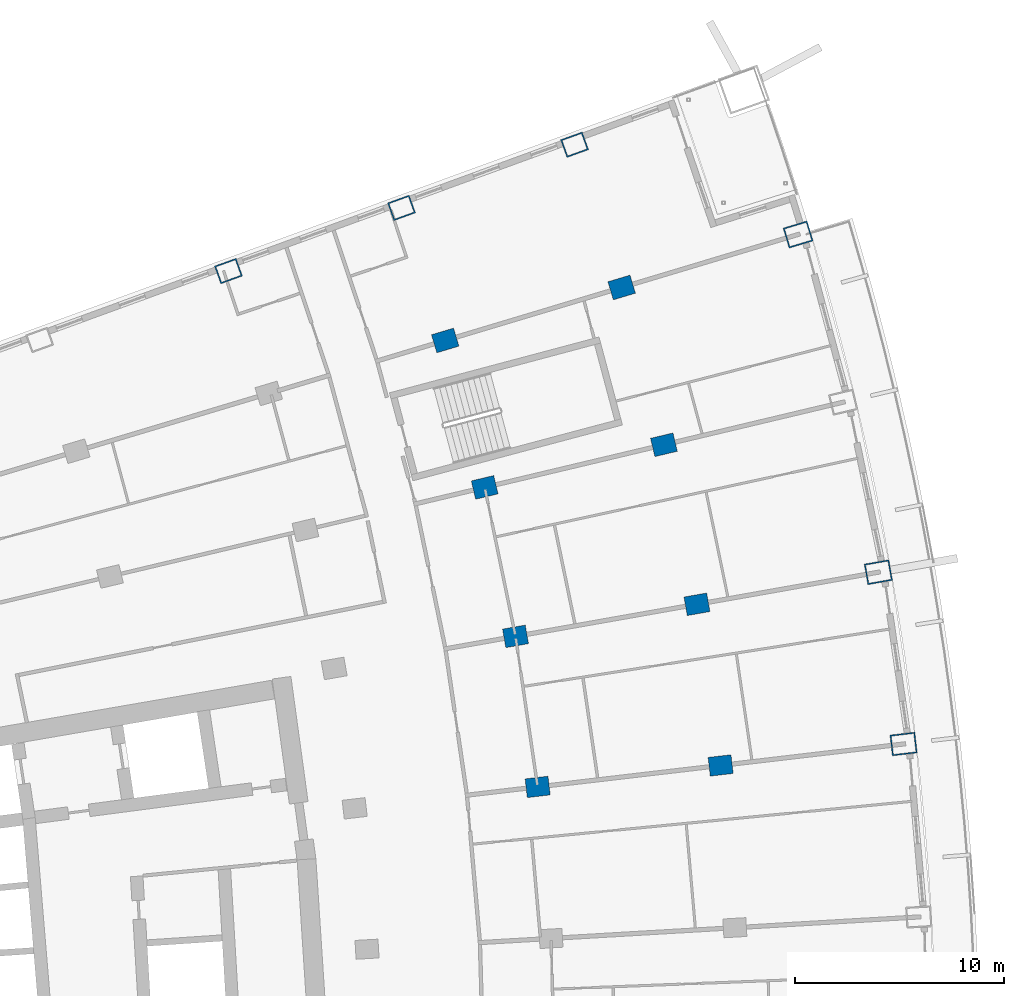
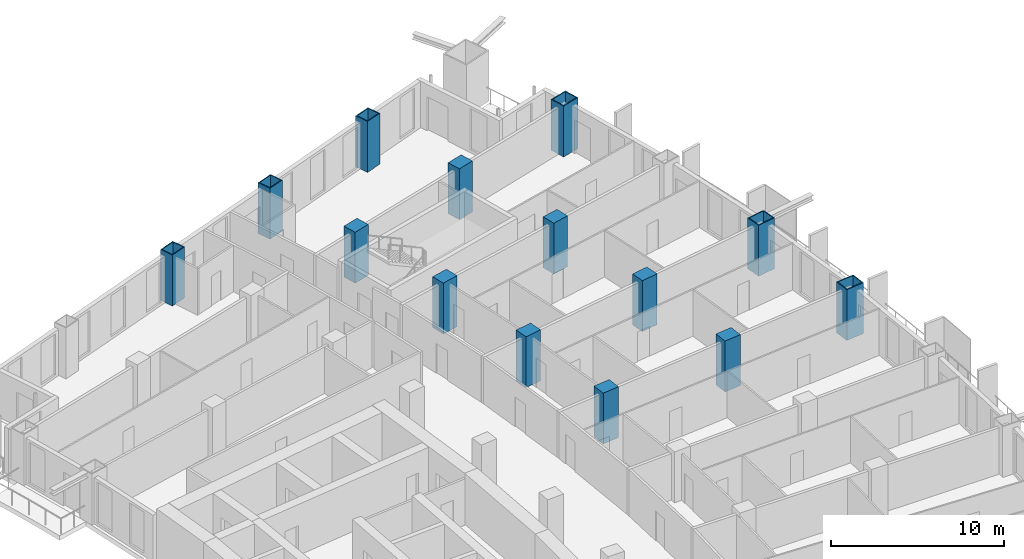
# One storey, part 8 of 23: 14 columns.
"""IFC4 building model written with IfcOpenShell, lengths in metres."""

from ifc_helpers import new_model, si_unit, direction, frame, origin, origin_2d, place, context, subcontext, project, spatial, rectangle, hollow_rectangle, extrude, material, material_profile, profile_set, type_object, element, save


model = new_model("IFC4")

# Units and contexts
model_context = context("Model", 3, precision=1e-05, world=origin(), true_north=direction((0.0, 1.0)))
body_context = subcontext(model_context, "Body", "Model", "MODEL_VIEW")
ifc_project = project(units=[si_unit("LENGTHUNIT", "METRE"), si_unit("AREAUNIT", "SQUARE_METRE"), si_unit("VOLUMEUNIT", "CUBIC_METRE"), si_unit("PLANEANGLEUNIT", "RADIAN"), si_unit("MASSUNIT", "GRAM", prefix="KILO")], contexts=[model_context])

# Site, building, storey
site_placement = place(None, origin())
site = spatial("IfcSite", under=ifc_project, at=site_placement, CompositionType="ELEMENT")
building_placement = place(site_placement, origin())
building = spatial("IfcBuilding", under=site, at=building_placement, Name="Alderwake Tower", CompositionType="ELEMENT")
storey_placement = place(building_placement, frame((0.0, 0.0, 71.60009765625)))
storey = spatial("IfcBuildingStorey", under=building, at=storey_placement, Name="L17", CompositionType="ELEMENT", Elevation=71.60009765625)

# Columns
ifc_material_1 = material(Name="Steel ASTM A572 Grade 50 concrete filled C70/85", Category="concrete")
ifc_material_profile_1 = material_profile(ifc_material_1, hollow_rectangle(XDim=0.89990234375, YDim=1.10009765625, WallThickness=0.06005859375, at=origin_2d()), Name="BOX 1100X900X60")
ifc_profile_set_1 = profile_set([ifc_material_profile_1], Name="Steel ASTM A572 Grade 50 concrete filled C70/85")
column_type_1 = type_object("IfcColumnType", Name="End column Z1", PredefinedType="COLUMN", material=ifc_profile_set_1)
for number, where, z_axis, x_axis, name in (
    (1, (28.983642578125, 100.143310546875, 0.0), (0.0, 0.0, 1.0), (-0.338026774049, 0.941136493834, 0.0), "Column R13-C2"),
    (2, (37.250244140625, 103.160888671875, 0.0), (0.0, 0.0, 1.0), (-0.3383700535, 0.941013127907, 0.0), "Column R13-C3"),
    (3, (45.516845703125, 106.178466796875, 0.0), (0.0, 0.0, 1.0), (-0.338668949173, 0.940905597213, 0.0), "Column R13-C4"),
):
    element("IfcColumn", number, at=place(storey_placement, frame(where, z_axis=z_axis, x_axis=x_axis)), inside=storey, type_object=column_type_1, Name=name, PredefinedType="COLUMN", context=body_context, shape_type="SweptSolid", body=[
        extrude(hollow_rectangle(XDim=0.89990234375, YDim=1.10009765625, WallThickness=0.06005859375, at=origin_2d()), origin(), (0.0, 0.0, 1.0), 3.599853515625),
    ])
ifc_material_2 = material(Name="Concrete C70/85", Category="concrete")
ifc_material_profile_2 = material_profile(ifc_material_2, rectangle(XDim=0.89990234375, YDim=1.10009765625, at=origin_2d()), Name="RC 1100X900")
ifc_profile_set_2 = profile_set([ifc_material_profile_2], Name="Concrete C70/85")
column_type_2 = type_object("IfcColumnType", Name="Interior column Z1", PredefinedType="COLUMN", material=ifc_profile_set_2)
for number, where, z_axis, x_axis, name in (
    (4, (43.7529296875, 75.503662109375, 0.0), (0.0, 0.0, 1.0), (-0.116402054316, 0.993202175668, 0.0), "Column R09-C3"),
    (5, (52.4931640625, 76.528076171875, 0.0), (0.0, 0.0, 1.0), (-0.116402054316, 0.993202175668, 0.0), "Column R09-C4"),
    (6, (42.697021484375, 82.69384765625, 0.0), (0.0, 0.0, 1.0), (-0.174108800747, 0.984726421654, 0.0), "Column R10-C3"),
    (7, (51.362548828125, 84.22607421875, 0.0), (0.0, 0.0, 1.0), (-0.174108800747, 0.984726421654, 0.0), "Column R10-C4"),
    (8, (41.223388671875, 89.810302734375, 0.0), (0.0, 0.0, 1.0), (-0.231221547198, 0.972901123502, 0.0), "Column R11-C3"),
    (9, (49.784912109375, 91.844970703125, 0.0), (0.0, 0.0, 1.0), (-0.231221547198, 0.972901123502, 0.0), "Column R11-C4"),
    (10, (39.337646484375, 96.82861328125, 0.0), (0.0, 0.0, 1.0), (-0.287549418125, 0.957765802342, 0.0), "Column R12-C3"),
    (11, (47.76611328125, 99.35888671875, 0.0), (0.0, 0.0, 1.0), (-0.287549418125, 0.957765802342, 0.0), "Column R12-C4"),
):
    element("IfcColumn", number, at=place(storey_placement, frame(where, z_axis=z_axis, x_axis=x_axis)), inside=storey, type_object=column_type_2, Name=name, PredefinedType="COLUMN", context=body_context, shape_type="SweptSolid", body=[
        extrude(rectangle(XDim=0.89990234375, YDim=1.10009765625, at=origin_2d()), origin(), (0.0, 0.0, 1.0), 3.599853515625),
    ])
ifc_material_3 = material(Name="Steel ASTM A572 Grade 50 concrete filled C70/85", Category="concrete")
ifc_material_profile_3 = material_profile(ifc_material_3, hollow_rectangle(XDim=1.0, YDim=1.199951171875, WallThickness=0.06005859375, at=origin_2d()), Name="BOX 1200X1000X60")
ifc_profile_set_3 = profile_set([ifc_material_profile_3], Name="Steel ASTM A572 Grade 50 concrete filled C70/85")
column_type_3 = type_object("IfcColumnType", Name="Perimeter column Z1", PredefinedType="COLUMN", material=ifc_profile_set_3)
for number, where, z_axis, x_axis, name in (
    (12, (61.2333984375, 77.552490234375, 0.0), (0.0, 0.0, 1.0), (-0.116402054316, 0.993202175668, 0.0), "Column R09-C5"),
    (13, (60.028076171875, 85.75830078125, 0.0), (0.0, 0.0, 1.0), (-0.174108800747, 0.984726421654, 0.0), "Column R10-C5"),
    (14, (56.1943359375, 101.889404296875, 0.0), (0.0, 0.0, 1.0), (-0.287549418125, 0.957765802342, 0.0), "Column R12-C5"),
):
    element("IfcColumn", number, at=place(storey_placement, frame(where, z_axis=z_axis, x_axis=x_axis)), inside=storey, type_object=column_type_3, Name=name, PredefinedType="COLUMN", context=body_context, shape_type="SweptSolid", body=[
        extrude(hollow_rectangle(XDim=1.0, YDim=1.199951171875, WallThickness=0.06005859375, at=origin_2d()), origin(), (0.0, 0.0, 1.0), 3.599853515625),
    ])

save(model, "model.ifc")
